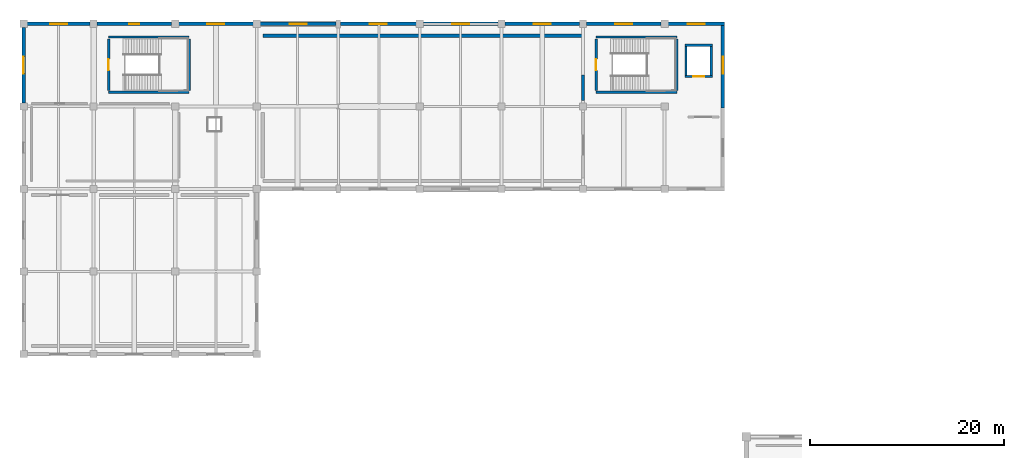
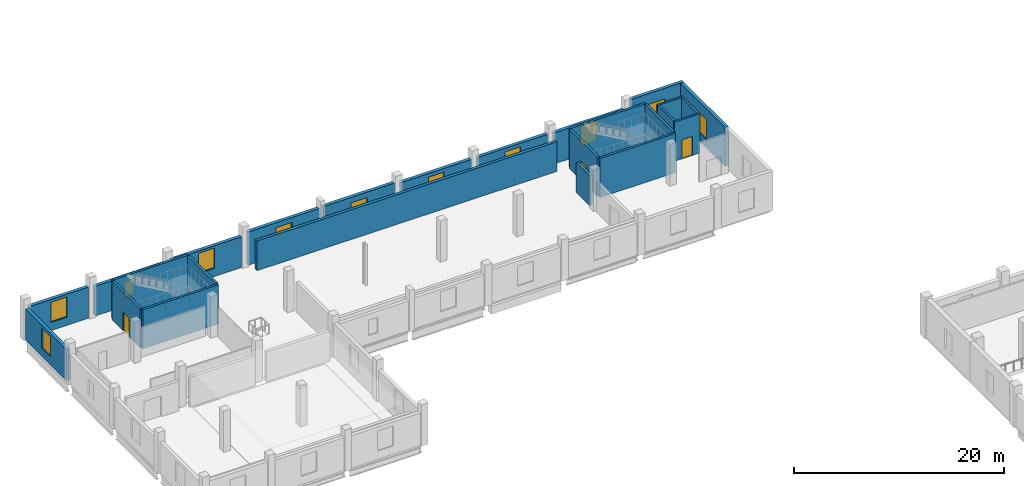
# One storey, part 67 of 77: 25 walls, 11 windows, 3 doors, 14 openings.
"""IFC4 building model written with IfcOpenShell, lengths in metres."""

import ifcopenshell
import ifcopenshell.guid

model = None  # the IFC model being written
_history = None  # IfcOwnerHistory: only IFC2X3 demands one
_inside = {}  # id of a spatial element -> (the spatial element, [elements in it])
_under = {}  # id of a project, library or spatial element -> (it, [spatial elements below it])
_declared = {}  # id of a project -> (the project, [libraries it declares])
_typed = {}  # id of a type object -> (the type object, [elements of that type])
_made_of = {}  # id of a material, layer set ... -> (it, [elements and type objects made of it])


def new_model(schema):
    """Start an empty IFC model of exactly this schema.

    Asked for "IFC4X3", IfcOpenShell would pick the latest addendum, in which some entities
    have other attributes; the version numbers below select the first issue.
    IFC2X3 requires an IfcOwnerHistory on every rooted entity: one is made here for all.
    """
    global model, _history
    if schema == "IFC4X3":
        model = ifcopenshell.file(schema_version=(4, 3, 0, 0))
    else:
        model = ifcopenshell.file(schema=schema)
    _inside.clear()
    _under.clear()
    _declared.clear()
    _typed.clear()
    _made_of.clear()
    _history = None
    if model.schema == "IFC2X3":
        org = make("IfcOrganization", Name="unknown")
        user = make(
            "IfcPersonAndOrganization",
            ThePerson=make("IfcPerson", FamilyName="unknown"),
            TheOrganization=org,
        )
        app = make(
            "IfcApplication",
            ApplicationDeveloper=org,
            Version="unknown",
            ApplicationFullName="unknown",
            ApplicationIdentifier="unknown",
        )
        _history = make(
            "IfcOwnerHistory",
            OwningUser=user,
            OwningApplication=app,
            ChangeAction="ADDED",
            CreationDate=0,
        )
    return model


def make(cls, **values):
    """One entity of the class cls with the attributes given. An attribute that is None is left unset."""
    return model.create_entity(
        cls, **{name: value for name, value in values.items() if value is not None}
    )


def rooted(cls, **values):
    """An entity with a GlobalId (a new one), such as an element, a storey or a relation."""
    return make(cls, GlobalId=ifcopenshell.guid.new(), OwnerHistory=_history, **values)


def si_unit(unit_type, name, prefix=None):
    """IfcSIUnit, for example si_unit("LENGTHUNIT", "METRE", prefix="MILLI")."""
    return make("IfcSIUnit", UnitType=unit_type, Prefix=prefix, Name=name)


def assignment(units):
    """IfcUnitAssignment: the units of a project."""
    return None if units is None else make("IfcUnitAssignment", Units=units)


def point(xyz):
    """IfcCartesianPoint."""
    return None if xyz is None else make("IfcCartesianPoint", Coordinates=xyz)


def direction(xyz):
    """IfcDirection."""
    return None if xyz is None else make("IfcDirection", DirectionRatios=xyz)


def frame(location, z_axis=None, x_axis=None):
    """IfcAxis2Placement3D, a coordinate frame: its origin and axes. An axis left out is left unset."""
    return make(
        "IfcAxis2Placement3D",
        Location=point(location),
        Axis=direction(z_axis),
        RefDirection=direction(x_axis),
    )


def frame_2d(location, x_axis=None):
    """IfcAxis2Placement2D, a coordinate frame in the plane: its origin and x axis."""
    return make(
        "IfcAxis2Placement2D", Location=point(location), RefDirection=direction(x_axis)
    )


def origin():
    """The frame at (0, 0, 0) with its axes left unset."""
    return frame((0.0, 0.0, 0.0))


def place(relative_to, where):
    """IfcLocalPlacement: puts the frame where relative to a parent placement (None: the world)."""
    return make(
        "IfcLocalPlacement", PlacementRelTo=relative_to, RelativePlacement=where
    )


def context(
    kind, dimensions, precision=None, world=None, true_north=None, identifier=None
):
    """IfcGeometricRepresentationContext, for example the 3D "Model" context."""
    return make(
        "IfcGeometricRepresentationContext",
        ContextIdentifier=identifier,
        ContextType=kind,
        CoordinateSpaceDimension=dimensions,
        Precision=precision,
        WorldCoordinateSystem=world,
        TrueNorth=true_north,
    )


def subcontext(parent, identifier, kind, view, scale=None):
    """IfcGeometricRepresentationSubContext, for example "Body" below "Model"."""
    return make(
        "IfcGeometricRepresentationSubContext",
        ContextIdentifier=identifier,
        ContextType=kind,
        ParentContext=parent,
        TargetScale=scale,
        TargetView=view,
    )


def project(units=None, contexts=None):
    """IfcProject with its units and contexts."""
    return rooted(
        "IfcProject",
        Name="project",
        RepresentationContexts=contexts,
        UnitsInContext=assignment(units),
    )


def spatial(cls, under=None, at=None, **own):
    """A site, building, storey or space (cls), placed at a placement, below another one or the project."""
    s = rooted(cls, ObjectPlacement=at, **own)
    if under is not None:
        _under.setdefault(under.id(), (under, []))[1].append(s)
    return s


def profile(cls, at=None, kind="AREA", **sizes):
    """A parametric profile (cls). Its sizes go by their IFC names, for example OverallWidth=200.0."""
    return make(cls, ProfileType=kind, Position=at, **sizes)


def rectangle(**sizes):
    """IfcRectangleProfileDef."""
    return profile("IfcRectangleProfileDef", **sizes)


def extrude(swept, where, along, depth):
    """IfcExtrudedAreaSolid: the profile swept, set in the frame where, extruded along a direction by depth."""
    return make(
        "IfcExtrudedAreaSolid",
        SweptArea=swept,
        Position=where,
        ExtrudedDirection=direction(along),
        Depth=depth,
    )


def shape(context_of_items, identifier, shape_type, items):
    """IfcShapeRepresentation: the items that make up one representation, for example the "Body"."""
    return make(
        "IfcShapeRepresentation",
        ContextOfItems=context_of_items,
        RepresentationIdentifier=identifier,
        RepresentationType=shape_type,
        Items=items,
    )


def material(Name=None, Category=None):
    """IfcMaterial."""
    return make("IfcMaterial", Name=Name, Category=Category)


def layer(
    of_material, thickness, ventilated=None, Name=None, Category=None, Priority=None
):
    """IfcMaterialLayer: one layer of a wall or slab, of a material (None: an air gap)."""
    return make(
        "IfcMaterialLayer",
        Material=of_material,
        LayerThickness=thickness,
        IsVentilated=ventilated,
        Name=Name,
        Category=Category,
        Priority=Priority,
    )


def layer_set(layers, Name=None):
    """IfcMaterialLayerSet."""
    return make("IfcMaterialLayerSet", MaterialLayers=layers, LayerSetName=Name)


def made_of(thing, what):
    """Note that an element or type object is made of a material, layer set ...; save() writes the relation."""
    if what is not None:
        _made_of.setdefault(what.id(), (what, []))[1].append(thing)
    return thing


def type_object(cls, material=None, **own):
    """A type object (cls), such as IfcWallType, which elements share."""
    return made_of(rooted(cls, **own), material)


def element(
    cls,
    number,
    at=None,
    inside=None,
    cuts=None,
    type_object=None,
    material=None,
    context=None,
    identifier="Body",
    shape_type=None,
    held_by="IfcProductDefinitionShape",
    body=None,
    shapes=None,
    **own,
):
    """One element of the class cls, such as IfcWall. Its Tag is "e" and its number.

    at: its placement. inside: the storey or other place that contains it. cuts: it is an
    opening in that element (IfcRelVoidsElement). A single representation is given by context,
    identifier, shape_type and body (its items); several are given by shapes. held_by: the class
    of the entity that holds the representations. save() writes the other relations.
    """
    e = rooted(cls, Tag="e%d" % number, ObjectPlacement=at, **own)
    if body is not None:
        shapes = [shape(context, identifier, shape_type, body)]
    if shapes is not None:
        e.Representation = make(held_by, Representations=shapes)
    if inside is not None:
        _inside.setdefault(inside.id(), (inside, []))[1].append(e)
    if cuts is not None:
        rooted(
            "IfcRelVoidsElement", RelatingBuildingElement=cuts, RelatedOpeningElement=e
        )
    if type_object is not None:
        _typed.setdefault(type_object.id(), (type_object, []))[1].append(e)
    return made_of(e, material)


def fill(opening, filler):
    """IfcRelFillsElement: the door or window that sits in an opening."""
    return rooted(
        "IfcRelFillsElement",
        RelatingOpeningElement=opening,
        RelatedBuildingElement=filler,
    )


def aggregate(whole, parts):
    """IfcRelAggregates: a whole, such as a stair, and the parts it consists of."""
    return rooted("IfcRelAggregates", RelatingObject=whole, RelatedObjects=parts)


def save(model, path):
    """Write the relations noted so far, then the file.

    IfcRelAggregates (storeys below a building ...), IfcRelContainedInSpatialStructure (elements
    in a storey), IfcRelDefinesByType, IfcRelAssociatesMaterial and IfcRelDeclares: one each for
    every whole, place, type object, material and project.
    """
    for whole, parts in _under.values():
        aggregate(whole, parts)
    for where, things in _inside.values():
        rooted(
            "IfcRelContainedInSpatialStructure",
            RelatedElements=things,
            RelatingStructure=where,
        )
    for kind, things in _typed.values():
        rooted("IfcRelDefinesByType", RelatedObjects=things, RelatingType=kind)
    for what, things in _made_of.values():
        rooted("IfcRelAssociatesMaterial", RelatedObjects=things, RelatingMaterial=what)
    for by, libraries in _declared.values():
        rooted("IfcRelDeclares", RelatingContext=by, RelatedDefinitions=libraries)
    model.write(path)


model = new_model("IFC4")

# Units and contexts
model_context = context("Model", 3, precision=1e-05, world=origin(), true_north=direction((0.0, 1.0)))
body_context = subcontext(model_context, "Body", "Model", "MODEL_VIEW")
ifc_project = project(units=[si_unit("LENGTHUNIT", "METRE"), si_unit("AREAUNIT", "SQUARE_METRE"), si_unit("VOLUMEUNIT", "CUBIC_METRE"), si_unit("PLANEANGLEUNIT", "RADIAN"), si_unit("MASSUNIT", "GRAM", prefix="KILO")], contexts=[model_context])

# Site, building, storey
site_placement = place(None, origin())
site = spatial("IfcSite", under=ifc_project, at=site_placement, CompositionType="ELEMENT")
building_placement = place(site_placement, origin())
building = spatial("IfcBuilding", under=site, at=building_placement, Name="Solvento Point Concert Hall", CompositionType="ELEMENT")
storey_placement = place(building_placement, frame((0.0, 0.0, 10.199951171875)))
storey = spatial("IfcBuildingStorey", under=building, at=storey_placement, Name="L02", CompositionType="ELEMENT", Elevation=10.199951171875)

# Walls
ifc_material_1 = material(Name="Acoustic Double-Stud Gypsum Partition")
ifc_layer_1 = layer(ifc_material_1, 0.31494140625)
ifc_layer_set_1 = layer_set([ifc_layer_1], Name="Acoustic Double-Stud Gypsum Partition")
wall_type_1 = type_object("IfcWallType", Name="AcousticPartition_315", PredefinedType="PARTITIONING", material=ifc_layer_set_1)
wall_1_placement = place(storey_placement, frame((24.6201171875, 134.780029296875, 0.0), z_axis=(0.0, 0.0, 1.0), x_axis=(1.0, 0.0, 0.0)))
element("IfcWall", 1, at=wall_1_placement, inside=storey, type_object=wall_type_1, Name="Interior acoustic partition PW-18 L02", PredefinedType="PARTITIONING", context=body_context, shape_type="SweptSolid", body=[
    extrude(rectangle(XDim=32.9599609375, YDim=0.31494140625, at=frame_2d((16.47998046875, 0.0))), origin(), (0.0, 0.0, 1.0), 3.447998046875),
])
wall_2_placement = place(storey_placement, frame((57.580078125, 130.712890625, 0.0), z_axis=(0.0, 0.0, 1.0), x_axis=(0.0, -1.0, 0.0)))
element("IfcWall", 2, at=wall_2_placement, inside=storey, type_object=wall_type_1, Name="Interior acoustic partition PW-18 L02", PredefinedType="PARTITIONING", context=body_context, shape_type="SweptSolid", body=[
    extrude(rectangle(XDim=2.587890625, YDim=0.31494140625, at=frame_2d((1.2939453125, 0.0))), origin(), (0.0, 0.0, 1.0), 3.447998046875),
])
ifc_material_2 = material(Name="Concrete C40/50", Category="concrete")
ifc_layer_2 = layer(ifc_material_2, 0.300048828125)
ifc_layer_set_2 = layer_set([ifc_layer_2], Name="Concrete C40/50")
wall_type_2 = type_object("IfcWallType", Name="CoreShearWall_300", PredefinedType="SHEAR", material=ifc_layer_set_2)
for number, where, z_axis, x_axis, name in (
    (3, (67.25, 128.949951171875, 0.0), (0.0, 0.0, 1.0), (-1.0, 0.0, 0.0), "Stair core shear wall W-SH1 ST-04 L02"),
    (4, (58.949951171875, 134.64990234375, 0.0), (0.0, 0.0, 1.0), (1.0, 0.0, 0.0), "Stair core shear wall W-SH1 ST-04 L02"),
):
    element("IfcWall", number, at=place(storey_placement, frame(where, z_axis=z_axis, x_axis=x_axis)), inside=storey, type_object=wall_type_2, Name=name, PredefinedType="SHEAR", context=body_context, shape_type="SweptSolid", body=[
        extrude(rectangle(XDim=8.300048828125, YDim=0.25, at=frame_2d((4.14990234375, 0.0))), origin(), (0.0, 0.0, 1.0), 4.5400390625),
    ])

# Wall, opening, door
wall_3_placement = place(storey_placement, frame((58.949951171875, 129.14990234375, 0.0), z_axis=(0.0, 0.0, 1.0), x_axis=(0.0, 1.0, 0.0)))
wall_3 = element("IfcWall", 5, at=wall_3_placement, inside=storey, type_object=wall_type_2, Name="Stair core shear wall W-SH1 ST-04 L02", PredefinedType="SHEAR", context=body_context, shape_type="SweptSolid", body=[
    extrude(rectangle(XDim=5.300048828125, YDim=0.25, at=frame_2d((2.64990234375, 0.0))), origin(), (0.0, 0.0, 1.0), 4.5400390625),
])
opening_1_placement = place(wall_3_placement, frame((2.074951171875, 0.0, 0.0)))
opening_1 = element("IfcOpeningElement", 6, at=opening_1_placement, cuts=wall_3, Name="Opening D-ST1", PredefinedType="OPENING", context=body_context, shape_type="SweptSolid", body=[
    extrude(rectangle(XDim=1.14990234375, YDim=2.179931640625, at=frame_2d((0.574951171875, 1.08984375))), frame((0.0, 0.135009765625, 0.0), z_axis=(0.0, -1.0, 0.0), x_axis=(1.0, 0.0, 0.0)), (0.0, 0.0, 1.0), 0.27001953125),
])
ifc_material_3 = material(Name="Hollow Metal Acoustic Fire Door")
door_type_1 = type_object("IfcDoorType", Name="StairFireDoor_1150", OperationType="NOTDEFINED", PredefinedType="DOOR", material=ifc_material_3)
door_1_placement = place(opening_1_placement, origin())
door_1 = element("IfcDoor", 7, at=door_1_placement, inside=storey, type_object=door_type_1, Name="Protected exit stair door ST-04 L02", OperationType="SINGLE_SWING_RIGHT", OverallHeight=2.179931640625, OverallWidth=1.14990234375, PredefinedType="DOOR", context=body_context, shape_type="SweptSolid", body=[
    extrude(rectangle(XDim=1.14990234375, YDim=2.179931640625, at=frame_2d((0.574951171875, 1.08984375))), frame((0.0, 0.02490234375, 0.0), z_axis=(0.0, -1.0, 0.0), x_axis=(1.0, 0.0, 0.0)), (0.0, 0.0, 1.0), 0.050048828125),
])
fill(opening_1, door_1)

# Walls
wall_4_placement = place(storey_placement, frame((67.25, 134.449951171875, 0.0), z_axis=(0.0, 0.0, 1.0), x_axis=(0.0, -1.0, 0.0)))
element("IfcWall", 8, at=wall_4_placement, inside=storey, type_object=wall_type_2, Name="Stair core shear wall W-SH1 ST-04 L02", PredefinedType="SHEAR", context=body_context, shape_type="SweptSolid", body=[
    extrude(rectangle(XDim=5.300048828125, YDim=0.25, at=frame_2d((2.64990234375, 0.0))), origin(), (0.0, 0.0, 1.0), 4.5400390625),
])
for number, where, z_axis, x_axis, name in (
    (9, (17.050048828125, 128.949951171875, 0.0), (0.0, 0.0, 1.0), (-1.0, 0.0, 0.0), "Stair core shear wall W-SH1 ST-05 L02"),
    (10, (8.75, 134.64990234375, 0.0), (0.0, 0.0, 1.0), (1.0, 0.0, 0.0), "Stair core shear wall W-SH1 ST-05 L02"),
):
    element("IfcWall", number, at=place(storey_placement, frame(where, z_axis=z_axis, x_axis=x_axis)), inside=storey, type_object=wall_type_2, Name=name, PredefinedType="SHEAR", context=body_context, shape_type="SweptSolid", body=[
        extrude(rectangle(XDim=8.300048828125, YDim=0.25, at=frame_2d((4.14990234375, 0.0))), origin(), (0.0, 0.0, 1.0), 4.5400390625),
    ])

# Wall, opening, door
wall_5_placement = place(storey_placement, frame((8.75, 129.14990234375, 0.0), z_axis=(0.0, 0.0, 1.0), x_axis=(0.0, 1.0, 0.0)))
wall_5 = element("IfcWall", 11, at=wall_5_placement, inside=storey, type_object=wall_type_2, Name="Stair core shear wall W-SH1 ST-05 L02", PredefinedType="SHEAR", context=body_context, shape_type="SweptSolid", body=[
    extrude(rectangle(XDim=5.300048828125, YDim=0.25, at=frame_2d((2.64990234375, 0.0))), origin(), (0.0, 0.0, 1.0), 4.5400390625),
])
opening_2_placement = place(wall_5_placement, frame((2.074951171875, 0.0, 0.0)))
opening_2 = element("IfcOpeningElement", 12, at=opening_2_placement, cuts=wall_5, Name="Opening D-ST1", PredefinedType="OPENING", context=body_context, shape_type="SweptSolid", body=[
    extrude(rectangle(XDim=1.14990234375, YDim=2.179931640625, at=frame_2d((0.574951171875, 1.08984375))), frame((0.0, 0.135009765625, 0.0), z_axis=(0.0, -1.0, 0.0), x_axis=(1.0, 0.0, 0.0)), (0.0, 0.0, 1.0), 0.27001953125),
])
door_2_placement = place(opening_2_placement, origin())
door_2 = element("IfcDoor", 13, at=door_2_placement, inside=storey, type_object=door_type_1, Name="Protected exit stair door ST-05 L02", OperationType="SINGLE_SWING_LEFT", OverallHeight=2.179931640625, OverallWidth=1.14990234375, PredefinedType="DOOR", context=body_context, shape_type="SweptSolid", body=[
    extrude(rectangle(XDim=1.14990234375, YDim=2.179931640625, at=frame_2d((0.574951171875, 1.08984375))), frame((0.0, 0.02490234375, 0.0), z_axis=(0.0, -1.0, 0.0), x_axis=(1.0, 0.0, 0.0)), (0.0, 0.0, 1.0), 0.050048828125),
])
fill(opening_2, door_2)

# Wall
wall_6_placement = place(storey_placement, frame((17.050048828125, 134.449951171875, 0.0), z_axis=(0.0, 0.0, 1.0), x_axis=(0.0, -1.0, 0.0)))
element("IfcWall", 14, at=wall_6_placement, inside=storey, type_object=wall_type_2, Name="Stair core shear wall W-SH1 ST-05 L02", PredefinedType="SHEAR", context=body_context, shape_type="SweptSolid", body=[
    extrude(rectangle(XDim=5.300048828125, YDim=0.25, at=frame_2d((2.64990234375, 0.0))), origin(), (0.0, 0.0, 1.0), 4.5400390625),
])

# Wall, opening, door
wall_7_placement = place(storey_placement, frame((68.090087890625, 130.60009765625, 0.0), z_axis=(0.0, 0.0, 1.0), x_axis=(1.0, 0.0, 0.0)))
wall_7 = element("IfcWall", 15, at=wall_7_placement, inside=storey, type_object=wall_type_2, Name="Elevator shaft shear wall W-SH1 LP-03 L02", PredefinedType="SHEAR", context=body_context, shape_type="SweptSolid", body=[
    extrude(rectangle(XDim=2.81982421875, YDim=0.219970703125, at=frame_2d((1.409912109375, 0.0))), origin(), (0.0, 0.0, 1.0), 4.5400390625),
])
opening_3_placement = place(wall_7_placement, frame((0.8349609375, 0.0, 0.0)))
opening_3 = element("IfcOpeningElement", 16, at=opening_3_placement, cuts=wall_7, Name="Opening LD-02", PredefinedType="OPENING", context=body_context, shape_type="SweptSolid", body=[
    extrude(rectangle(XDim=1.14990234375, YDim=2.199951171875, at=frame_2d((0.574951171875, 1.10009765625))), frame((0.0, 0.119873046875, 0.0), z_axis=(0.0, -1.0, 0.0), x_axis=(1.0, 0.0, 0.0)), (0.0, 0.0, 1.0), 0.239990234375),
])
ifc_material_4 = material(Name="Hollow Metal Acoustic Fire Door")
door_type_2 = type_object("IfcDoorType", Name="LiftLandingDoor_Pass", OperationType="SLIDING_TO_LEFT", PredefinedType="DOOR", material=ifc_material_4)
door_3_placement = place(opening_3_placement, origin())
door_3 = element("IfcDoor", 17, at=door_3_placement, inside=storey, type_object=door_type_2, Name="Elevator landing door LP-03 L02", OperationType="SLIDING_TO_LEFT", OverallHeight=2.199951171875, OverallWidth=1.14990234375, PredefinedType="DOOR", context=body_context, shape_type="SweptSolid", body=[
    extrude(rectangle(XDim=1.14990234375, YDim=2.199951171875, at=frame_2d((0.574951171875, 1.10009765625))), frame((0.0, 0.02490234375, 0.0), z_axis=(0.0, -1.0, 0.0), x_axis=(1.0, 0.0, 0.0)), (0.0, 0.0, 1.0), 0.050048828125),
])
fill(opening_3, door_3)

# Walls
wall_8_placement = place(storey_placement, frame((68.090087890625, 133.800048828125, 0.0), z_axis=(0.0, 0.0, 1.0), x_axis=(1.0, 0.0, 0.0)))
element("IfcWall", 18, at=wall_8_placement, inside=storey, type_object=wall_type_2, Name="Elevator shaft shear wall W-SH1 LP-03 L02", PredefinedType="SHEAR", context=body_context, shape_type="SweptSolid", body=[
    extrude(rectangle(XDim=2.81982421875, YDim=0.219970703125, at=frame_2d((1.409912109375, 0.0))), origin(), (0.0, 0.0, 1.0), 4.5400390625),
])
for number, where, z_axis, x_axis, name in (
    (19, (68.199951171875, 130.7099609375, 0.0), (0.0, 0.0, 1.0), (0.0, 1.0, 0.0), "Elevator shaft shear wall W-SH1 LP-03 L02"),
    (20, (70.800048828125, 130.7099609375, 0.0), (0.0, 0.0, 1.0), (0.0, 1.0, 0.0), "Elevator shaft shear wall W-SH1 LP-03 L02"),
):
    element("IfcWall", number, at=place(storey_placement, frame(where, z_axis=z_axis, x_axis=x_axis)), inside=storey, type_object=wall_type_2, Name=name, PredefinedType="SHEAR", context=body_context, shape_type="SweptSolid", body=[
        extrude(rectangle(XDim=2.97998046875, YDim=0.219970703125, at=frame_2d((1.489990234375, 0.0))), origin(), (0.0, 0.0, 1.0), 4.5400390625),
    ])

# Wall, opening, window
ifc_material_5 = material(Name="Concrete C40/50", Category="concrete")
ifc_layer_3 = layer(ifc_material_5, 0.3701171875)
ifc_layer_set_3 = layer_set([ifc_layer_3], Name="Concrete C40/50")
wall_type_3 = type_object("IfcWallType", Name="ExtWall_V4_Reh_370", PredefinedType="SOLIDWALL", material=ifc_layer_set_3)
wall_9_placement = place(storey_placement, frame((0.0, 127.85498046875, 0.0), z_axis=(0.0, 0.0, 1.0), x_axis=(0.0, 1.0, 0.0)))
wall_9 = element("IfcWall", 21, at=wall_9_placement, inside=storey, type_object=wall_type_3, Name="Exterior architectural concrete wall EW-85 L02", PredefinedType="SOLIDWALL", context=body_context, shape_type="SweptSolid", body=[
    extrude(rectangle(XDim=7.7900390625, YDim=0.3701171875, at=frame_2d((3.89501953125, 0.0))), origin(), (0.0, 0.0, 1.0), 3.64404296875),
])
opening_4_placement = place(wall_9_placement, frame((3.02001953125, 0.0, 0.949951171875)))
opening_4 = element("IfcOpeningElement", 22, at=opening_4_placement, cuts=wall_9, Name="Opening WN-70", PredefinedType="OPENING", context=body_context, shape_type="SweptSolid", body=[
    extrude(rectangle(XDim=1.75, YDim=2.35009765625, at=frame_2d((0.875, 1.175048828125))), frame((0.0, 0.195068359375, 0.0), z_axis=(0.0, -1.0, 0.0), x_axis=(1.0, 0.0, 0.0)), (0.0, 0.0, 1.0), 0.39013671875),
])
ifc_material_6 = material(Name="Hurricane Laminated Low-E Glass", Category="glass")
window_type_1 = type_object("IfcWindowType", Name="Win_V4_Rehearsal_L02", PartitioningType="SINGLE_PANEL", PredefinedType="WINDOW", material=ifc_material_6)
window_1_placement = place(opening_4_placement, origin())
window_1 = element("IfcWindow", 23, at=window_1_placement, inside=storey, type_object=window_type_1, Name="Impact acoustic window WN-70", OverallHeight=2.35009765625, OverallWidth=1.75, PartitioningType="SINGLE_PANEL", PredefinedType="WINDOW", context=body_context, shape_type="SweptSolid", body=[
    extrude(rectangle(XDim=1.75, YDim=2.35009765625, at=frame_2d((0.875, 1.175048828125))), frame((0.0, 0.030029296875, 0.0), z_axis=(0.0, -1.0, 0.0), x_axis=(1.0, 0.0, 0.0)), (0.0, 0.0, 1.0), 0.06005859375),
])
fill(opening_4, window_1)

wall_10_placement = place(storey_placement, frame((0.35498046875, 136.0, 0.0), z_axis=(0.0, 0.0, 1.0), x_axis=(1.0, 0.0, 0.0)))
wall_10 = element("IfcWall", 24, at=wall_10_placement, inside=storey, type_object=wall_type_3, Name="Exterior architectural concrete wall EW-85 L02", PredefinedType="SOLIDWALL", context=body_context, shape_type="SweptSolid", body=[
    extrude(rectangle(XDim=6.489990234375, YDim=0.3701171875, at=frame_2d((3.2451171875, 0.0))), origin(), (0.0, 0.0, 1.0), 3.616943359375),
])
opening_5_placement = place(wall_10_placement, frame((2.3701171875, 0.0, 0.949951171875)))
opening_5 = element("IfcOpeningElement", 25, at=opening_5_placement, cuts=wall_10, Name="Opening WN-70", PredefinedType="OPENING", context=body_context, shape_type="SweptSolid", body=[
    extrude(rectangle(XDim=1.75, YDim=2.35009765625, at=frame_2d((0.875, 1.175048828125))), frame((0.0, 0.195068359375, 0.0), z_axis=(0.0, -1.0, 0.0), x_axis=(1.0, 0.0, 0.0)), (0.0, 0.0, 1.0), 0.39013671875),
])
window_2_placement = place(opening_5_placement, origin())
window_2 = element("IfcWindow", 26, at=window_2_placement, inside=storey, type_object=window_type_1, Name="Impact acoustic window WN-70", OverallHeight=2.35009765625, OverallWidth=1.75, PartitioningType="SINGLE_PANEL", PredefinedType="WINDOW", context=body_context, shape_type="SweptSolid", body=[
    extrude(rectangle(XDim=1.75, YDim=2.35009765625, at=frame_2d((0.875, 1.175048828125))), frame((0.0, 0.030029296875, 0.0), z_axis=(0.0, -1.0, 0.0), x_axis=(1.0, 0.0, 0.0)), (0.0, 0.0, 1.0), 0.06005859375),
])
fill(opening_5, window_2)

wall_11_placement = place(storey_placement, frame((7.554931640625, 136.0, 0.0), z_axis=(0.0, 0.0, 1.0), x_axis=(1.0, 0.0, 0.0)))
wall_11 = element("IfcWall", 27, at=wall_11_placement, inside=storey, type_object=wall_type_3, Name="Exterior architectural concrete wall EW-85 L02", PredefinedType="SOLIDWALL", context=body_context, shape_type="SweptSolid", body=[
    extrude(rectangle(XDim=7.690185546875, YDim=0.3701171875, at=frame_2d((3.84521484375, 0.0))), origin(), (0.0, 0.0, 1.0), 3.447998046875),
])
opening_6_placement = place(wall_11_placement, frame((3.320068359375, 0.0, 0.949951171875)))
opening_6 = element("IfcOpeningElement", 28, at=opening_6_placement, cuts=wall_11, Name="Opening WN-89", PredefinedType="OPENING", context=body_context, shape_type="SweptSolid", body=[
    extrude(rectangle(XDim=1.050048828125, YDim=1.800048828125, at=frame_2d((0.52490234375, 0.89990234375))), frame((0.0, 0.195068359375, 0.0), z_axis=(0.0, -1.0, 0.0), x_axis=(1.0, 0.0, 0.0)), (0.0, 0.0, 1.0), 0.39013671875),
])
ifc_material_7 = material(Name="Hurricane Laminated Low-E Glass", Category="glass")
window_type_2 = type_object("IfcWindowType", Name="Win_NarrowPier_1050", PartitioningType="SINGLE_PANEL", PredefinedType="WINDOW", material=ifc_material_7)
window_3_placement = place(opening_6_placement, origin())
window_3 = element("IfcWindow", 29, at=window_3_placement, inside=storey, type_object=window_type_2, Name="Impact acoustic window WN-89", OverallHeight=1.800048828125, OverallWidth=1.050048828125, PartitioningType="SINGLE_PANEL", PredefinedType="WINDOW", context=body_context, shape_type="SweptSolid", body=[
    extrude(rectangle(XDim=1.050048828125, YDim=1.800048828125, at=frame_2d((0.52490234375, 0.89990234375))), frame((0.0, 0.030029296875, 0.0), z_axis=(0.0, -1.0, 0.0), x_axis=(1.0, 0.0, 0.0)), (0.0, 0.0, 1.0), 0.06005859375),
])
fill(opening_6, window_3)

wall_12_placement = place(storey_placement, frame((15.955078125, 136.0, 0.0), z_axis=(0.0, 0.0, 1.0), x_axis=(1.0, 0.0, 0.0)))
wall_12 = element("IfcWall", 30, at=wall_12_placement, inside=storey, type_object=wall_type_3, Name="Exterior architectural concrete wall EW-85 L02", PredefinedType="SOLIDWALL", context=body_context, shape_type="SweptSolid", body=[
    extrude(rectangle(XDim=7.68994140625, YDim=0.3701171875, at=frame_2d((3.844970703125, 0.0))), origin(), (0.0, 0.0, 1.0), 3.573974609375),
])
opening_7_placement = place(wall_12_placement, frame((2.969970703125, 0.0, 0.949951171875)))
opening_7 = element("IfcOpeningElement", 31, at=opening_7_placement, cuts=wall_12, Name="Opening WN-70", PredefinedType="OPENING", context=body_context, shape_type="SweptSolid", body=[
    extrude(rectangle(XDim=1.75, YDim=2.35009765625, at=frame_2d((0.875, 1.175048828125))), frame((0.0, 0.195068359375, 0.0), z_axis=(0.0, -1.0, 0.0), x_axis=(1.0, 0.0, 0.0)), (0.0, 0.0, 1.0), 0.39013671875),
])
window_4_placement = place(opening_7_placement, origin())
window_4 = element("IfcWindow", 32, at=window_4_placement, inside=storey, type_object=window_type_1, Name="Impact acoustic window WN-70", OverallHeight=2.35009765625, OverallWidth=1.75, PartitioningType="SINGLE_PANEL", PredefinedType="WINDOW", context=body_context, shape_type="SweptSolid", body=[
    extrude(rectangle(XDim=1.75, YDim=2.35009765625, at=frame_2d((0.875, 1.175048828125))), frame((0.0, 0.030029296875, 0.0), z_axis=(0.0, -1.0, 0.0), x_axis=(1.0, 0.0, 0.0)), (0.0, 0.0, 1.0), 0.06005859375),
])
fill(opening_7, window_4)

wall_13_placement = place(storey_placement, frame((24.35498046875, 136.0, 0.0), z_axis=(0.0, 0.0, 1.0), x_axis=(1.0, 0.0, 0.0)))
wall_13 = element("IfcWall", 33, at=wall_13_placement, inside=storey, type_object=wall_type_3, Name="Exterior architectural concrete wall EW-85 L02", PredefinedType="SOLIDWALL", context=body_context, shape_type="SweptSolid", body=[
    extrude(rectangle(XDim=7.81494140625, YDim=0.3701171875, at=frame_2d((3.907470703125, 0.0))), origin(), (0.0, 0.0, 1.0), 3.865966796875),
])
opening_8_placement = place(wall_13_placement, frame((3.032470703125, 0.0, 0.949951171875)))
opening_8 = element("IfcOpeningElement", 34, at=opening_8_placement, cuts=wall_13, Name="Opening WN-70", PredefinedType="OPENING", context=body_context, shape_type="SweptSolid", body=[
    extrude(rectangle(XDim=1.75, YDim=2.35009765625, at=frame_2d((0.875, 1.175048828125))), frame((0.0, 0.195068359375, 0.0), z_axis=(0.0, -1.0, 0.0), x_axis=(1.0, 0.0, 0.0)), (0.0, 0.0, 1.0), 0.39013671875),
])
window_5_placement = place(opening_8_placement, origin())
window_5 = element("IfcWindow", 35, at=window_5_placement, inside=storey, type_object=window_type_1, Name="Impact acoustic window WN-70", OverallHeight=2.35009765625, OverallWidth=1.75, PartitioningType="SINGLE_PANEL", PredefinedType="WINDOW", context=body_context, shape_type="SweptSolid", body=[
    extrude(rectangle(XDim=1.75, YDim=2.35009765625, at=frame_2d((0.875, 1.175048828125))), frame((0.0, 0.030029296875, 0.0), z_axis=(0.0, -1.0, 0.0), x_axis=(1.0, 0.0, 0.0)), (0.0, 0.0, 1.0), 0.06005859375),
])
fill(opening_8, window_5)

wall_14_placement = place(storey_placement, frame((32.6298828125, 136.0, 0.0), z_axis=(0.0, 0.0, 1.0), x_axis=(1.0, 0.0, 0.0)))
wall_14 = element("IfcWall", 36, at=wall_14_placement, inside=storey, type_object=wall_type_3, Name="Exterior architectural concrete wall EW-85 L02", PredefinedType="SOLIDWALL", context=body_context, shape_type="SweptSolid", body=[
    extrude(rectangle(XDim=7.815185546875, YDim=0.3701171875, at=frame_2d((3.90771484375, 0.0))), origin(), (0.0, 0.0, 1.0), 3.925048828125),
])
opening_9_placement = place(wall_14_placement, frame((3.032470703125, 0.0, 0.949951171875)))
opening_9 = element("IfcOpeningElement", 37, at=opening_9_placement, cuts=wall_14, Name="Opening WN-70", PredefinedType="OPENING", context=body_context, shape_type="SweptSolid", body=[
    extrude(rectangle(XDim=1.75, YDim=2.35009765625, at=frame_2d((0.875, 1.175048828125))), frame((0.0, 0.195068359375, 0.0), z_axis=(0.0, -1.0, 0.0), x_axis=(1.0, 0.0, 0.0)), (0.0, 0.0, 1.0), 0.39013671875),
])
window_6_placement = place(opening_9_placement, origin())
window_6 = element("IfcWindow", 38, at=window_6_placement, inside=storey, type_object=window_type_1, Name="Impact acoustic window WN-70", OverallHeight=2.35009765625, OverallWidth=1.75, PartitioningType="SINGLE_PANEL", PredefinedType="WINDOW", context=body_context, shape_type="SweptSolid", body=[
    extrude(rectangle(XDim=1.75, YDim=2.35009765625, at=frame_2d((0.875, 1.175048828125))), frame((0.0, 0.030029296875, 0.0), z_axis=(0.0, -1.0, 0.0), x_axis=(1.0, 0.0, 0.0)), (0.0, 0.0, 1.0), 0.06005859375),
])
fill(opening_9, window_6)

wall_15_placement = place(storey_placement, frame((41.155029296875, 136.0, 0.0), z_axis=(0.0, 0.0, 1.0), x_axis=(1.0, 0.0, 0.0)))
wall_15 = element("IfcWall", 39, at=wall_15_placement, inside=storey, type_object=wall_type_3, Name="Exterior architectural concrete wall EW-85 L02", PredefinedType="SOLIDWALL", context=body_context, shape_type="SweptSolid", body=[
    extrude(rectangle(XDim=7.68994140625, YDim=0.3701171875, at=frame_2d((3.844970703125, 0.0))), origin(), (0.0, 0.0, 1.0), 3.72412109375),
])
opening_10_placement = place(wall_15_placement, frame((2.969970703125, 0.0, 0.949951171875)))
opening_10 = element("IfcOpeningElement", 40, at=opening_10_placement, cuts=wall_15, Name="Opening WN-70", PredefinedType="OPENING", context=body_context, shape_type="SweptSolid", body=[
    extrude(rectangle(XDim=1.75, YDim=2.35009765625, at=frame_2d((0.875, 1.175048828125))), frame((0.0, 0.195068359375, 0.0), z_axis=(0.0, -1.0, 0.0), x_axis=(1.0, 0.0, 0.0)), (0.0, 0.0, 1.0), 0.39013671875),
])
window_7_placement = place(opening_10_placement, origin())
window_7 = element("IfcWindow", 41, at=window_7_placement, inside=storey, type_object=window_type_1, Name="Impact acoustic window WN-70", OverallHeight=2.35009765625, OverallWidth=1.75, PartitioningType="SINGLE_PANEL", PredefinedType="WINDOW", context=body_context, shape_type="SweptSolid", body=[
    extrude(rectangle(XDim=1.75, YDim=2.35009765625, at=frame_2d((0.875, 1.175048828125))), frame((0.0, 0.030029296875, 0.0), z_axis=(0.0, -1.0, 0.0), x_axis=(1.0, 0.0, 0.0)), (0.0, 0.0, 1.0), 0.06005859375),
])
fill(opening_10, window_7)

wall_16_placement = place(storey_placement, frame((49.554931640625, 136.0, 0.0), z_axis=(0.0, 0.0, 1.0), x_axis=(1.0, 0.0, 0.0)))
wall_16 = element("IfcWall", 42, at=wall_16_placement, inside=storey, type_object=wall_type_3, Name="Exterior architectural concrete wall EW-85 L02", PredefinedType="SOLIDWALL", context=body_context, shape_type="SweptSolid", body=[
    extrude(rectangle(XDim=7.690185546875, YDim=0.3701171875, at=frame_2d((3.84521484375, 0.0))), origin(), (0.0, 0.0, 1.0), 3.7041015625),
])
opening_11_placement = place(wall_16_placement, frame((2.969970703125, 0.0, 0.949951171875)))
opening_11 = element("IfcOpeningElement", 43, at=opening_11_placement, cuts=wall_16, Name="Opening WN-70", PredefinedType="OPENING", context=body_context, shape_type="SweptSolid", body=[
    extrude(rectangle(XDim=1.75, YDim=2.35009765625, at=frame_2d((0.875, 1.175048828125))), frame((0.0, 0.195068359375, 0.0), z_axis=(0.0, -1.0, 0.0), x_axis=(1.0, 0.0, 0.0)), (0.0, 0.0, 1.0), 0.39013671875),
])
window_8_placement = place(opening_11_placement, origin())
window_8 = element("IfcWindow", 44, at=window_8_placement, inside=storey, type_object=window_type_1, Name="Impact acoustic window WN-70", OverallHeight=2.35009765625, OverallWidth=1.75, PartitioningType="SINGLE_PANEL", PredefinedType="WINDOW", context=body_context, shape_type="SweptSolid", body=[
    extrude(rectangle(XDim=1.75, YDim=2.35009765625, at=frame_2d((0.875, 1.175048828125))), frame((0.0, 0.030029296875, 0.0), z_axis=(0.0, -1.0, 0.0), x_axis=(1.0, 0.0, 0.0)), (0.0, 0.0, 1.0), 0.06005859375),
])
fill(opening_11, window_8)

wall_17_placement = place(storey_placement, frame((57.955078125, 136.0, 0.0), z_axis=(0.0, 0.0, 1.0), x_axis=(1.0, 0.0, 0.0)))
wall_17 = element("IfcWall", 45, at=wall_17_placement, inside=storey, type_object=wall_type_3, Name="Exterior architectural concrete wall EW-85 L02", PredefinedType="SOLIDWALL", context=body_context, shape_type="SweptSolid", body=[
    extrude(rectangle(XDim=7.68994140625, YDim=0.3701171875, at=frame_2d((3.844970703125, 0.0))), origin(), (0.0, 0.0, 1.0), 3.614990234375),
])
opening_12_placement = place(wall_17_placement, frame((2.969970703125, 0.0, 0.949951171875)))
opening_12 = element("IfcOpeningElement", 46, at=opening_12_placement, cuts=wall_17, Name="Opening WN-70", PredefinedType="OPENING", context=body_context, shape_type="SweptSolid", body=[
    extrude(rectangle(XDim=1.75, YDim=2.35009765625, at=frame_2d((0.875, 1.175048828125))), frame((0.0, 0.195068359375, 0.0), z_axis=(0.0, -1.0, 0.0), x_axis=(1.0, 0.0, 0.0)), (0.0, 0.0, 1.0), 0.39013671875),
])
window_9_placement = place(opening_12_placement, origin())
window_9 = element("IfcWindow", 47, at=window_9_placement, inside=storey, type_object=window_type_1, Name="Impact acoustic window WN-70", OverallHeight=2.35009765625, OverallWidth=1.75, PartitioningType="SINGLE_PANEL", PredefinedType="WINDOW", context=body_context, shape_type="SweptSolid", body=[
    extrude(rectangle(XDim=1.75, YDim=2.35009765625, at=frame_2d((0.875, 1.175048828125))), frame((0.0, 0.030029296875, 0.0), z_axis=(0.0, -1.0, 0.0), x_axis=(1.0, 0.0, 0.0)), (0.0, 0.0, 1.0), 0.06005859375),
])
fill(opening_12, window_9)

wall_18_placement = place(storey_placement, frame((66.35498046875, 136.0, 0.0), z_axis=(0.0, 0.0, 1.0), x_axis=(1.0, 0.0, 0.0)))
wall_18 = element("IfcWall", 48, at=wall_18_placement, inside=storey, type_object=wall_type_3, Name="Exterior architectural concrete wall EW-85 L02", PredefinedType="SOLIDWALL", context=body_context, shape_type="SweptSolid", body=[
    extrude(rectangle(XDim=5.804931640625, YDim=0.3701171875, at=frame_2d((2.90234375, 0.0))), origin(), (0.0, 0.0, 1.0), 4.5400390625),
])
opening_13_placement = place(wall_18_placement, frame((2.027587890625, 0.0, 0.949951171875)))
opening_13 = element("IfcOpeningElement", 49, at=opening_13_placement, cuts=wall_18, Name="Opening WN-70", PredefinedType="OPENING", context=body_context, shape_type="SweptSolid", body=[
    extrude(rectangle(XDim=1.75, YDim=2.35009765625, at=frame_2d((0.875, 1.175048828125))), frame((0.0, 0.195068359375, 0.0), z_axis=(0.0, -1.0, 0.0), x_axis=(1.0, 0.0, 0.0)), (0.0, 0.0, 1.0), 0.39013671875),
])
window_10_placement = place(opening_13_placement, origin())
window_10 = element("IfcWindow", 50, at=window_10_placement, inside=storey, type_object=window_type_1, Name="Impact acoustic window WN-70", OverallHeight=2.35009765625, OverallWidth=1.75, PartitioningType="SINGLE_PANEL", PredefinedType="WINDOW", context=body_context, shape_type="SweptSolid", body=[
    extrude(rectangle(XDim=1.75, YDim=2.35009765625, at=frame_2d((0.875, 1.175048828125))), frame((0.0, 0.030029296875, 0.0), z_axis=(0.0, -1.0, 0.0), x_axis=(1.0, 0.0, 0.0)), (0.0, 0.0, 1.0), 0.06005859375),
])
fill(opening_13, window_10)

wall_19_placement = place(storey_placement, frame((72.0, 136.159912109375, 0.0), z_axis=(0.0, 0.0, 1.0), x_axis=(0.0, -1.0, 0.0)))
wall_19 = element("IfcWall", 51, at=wall_19_placement, inside=storey, type_object=wall_type_3, Name="Exterior architectural concrete wall EW-85 L02", PredefinedType="SOLIDWALL", context=body_context, shape_type="SweptSolid", body=[
    extrude(rectangle(XDim=8.81982421875, YDim=0.3701171875, at=frame_2d((4.409912109375, 0.0))), origin(), (0.0, 0.0, 1.0), 4.5400390625),
])
opening_14_placement = place(wall_19_placement, frame((3.534912109375, 0.0, 0.949951171875)))
opening_14 = element("IfcOpeningElement", 52, at=opening_14_placement, cuts=wall_19, Name="Opening WN-70", PredefinedType="OPENING", context=body_context, shape_type="SweptSolid", body=[
    extrude(rectangle(XDim=1.75, YDim=2.35009765625, at=frame_2d((0.875, 1.175048828125))), frame((0.0, 0.195068359375, 0.0), z_axis=(0.0, -1.0, 0.0), x_axis=(1.0, 0.0, 0.0)), (0.0, 0.0, 1.0), 0.39013671875),
])
window_11_placement = place(opening_14_placement, origin())
window_11 = element("IfcWindow", 53, at=window_11_placement, inside=storey, type_object=window_type_1, Name="Impact acoustic window WN-70", OverallHeight=2.35009765625, OverallWidth=1.75, PartitioningType="SINGLE_PANEL", PredefinedType="WINDOW", context=body_context, shape_type="SweptSolid", body=[
    extrude(rectangle(XDim=1.75, YDim=2.35009765625, at=frame_2d((0.875, 1.175048828125))), frame((0.0, 0.030029296875, 0.0), z_axis=(0.0, -1.0, 0.0), x_axis=(1.0, 0.0, 0.0)), (0.0, 0.0, 1.0), 0.06005859375),
])
fill(opening_14, window_11)

save(model, "model.ifc")
